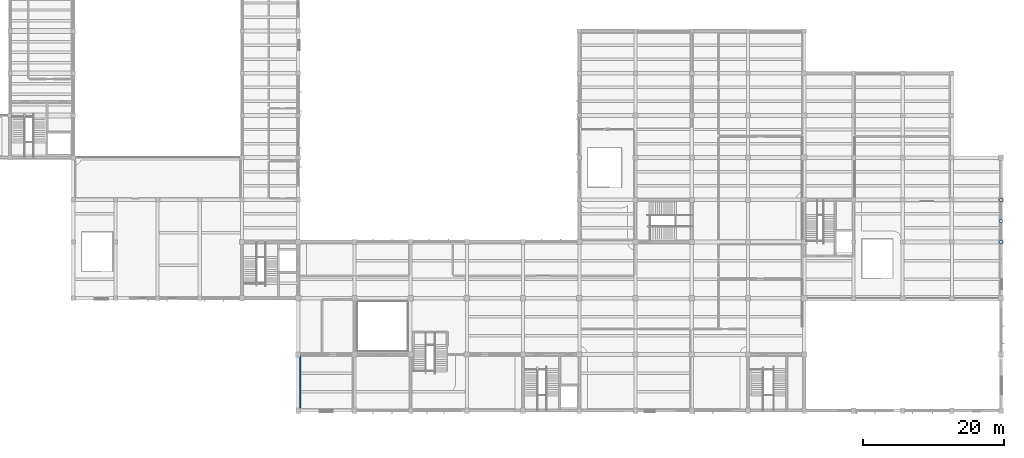
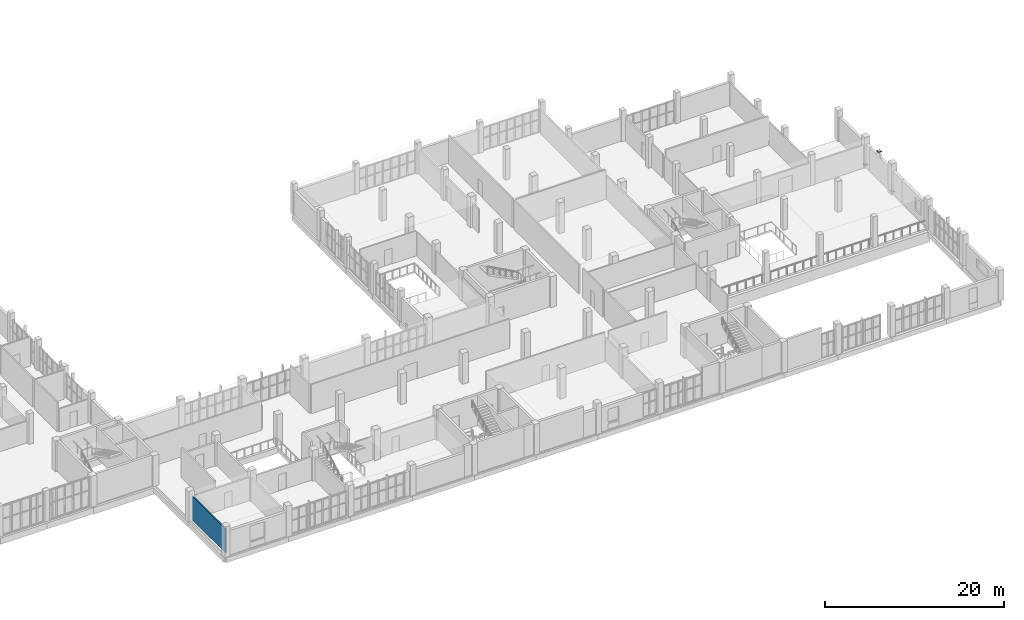
# One storey, part 62 of 85: 3 plates, 1 wall.
"""IFC4 building model written with IfcOpenShell, lengths in metres."""

from ifc_helpers import new_model, si_unit, direction, frame, frame_2d, origin, origin_2d, place, context, subcontext, project, spatial, rectangle, extrude, material, layer, layer_set, type_object, element, save


model = new_model("IFC4")

# Units and contexts
model_context = context("Model", 3, precision=1e-05, world=origin(), true_north=direction((0.0, 1.0)))
body_context = subcontext(model_context, "Body", "Model", "MODEL_VIEW")
ifc_project = project(units=[si_unit("LENGTHUNIT", "METRE"), si_unit("AREAUNIT", "SQUARE_METRE"), si_unit("VOLUMEUNIT", "CUBIC_METRE"), si_unit("PLANEANGLEUNIT", "RADIAN"), si_unit("MASSUNIT", "GRAM", prefix="KILO")], contexts=[model_context])

# Site, building, storey
site_placement = place(None, origin())
site = spatial("IfcSite", under=ifc_project, at=site_placement, CompositionType="ELEMENT")
building_placement = place(site_placement, origin())
building = spatial("IfcBuilding", under=site, at=building_placement, Name="Solvane Community Centre", CompositionType="ELEMENT")
storey_placement = place(building_placement, frame((0.0, 0.0, 5.39990234375)))
storey = spatial("IfcBuildingStorey", under=building, at=storey_placement, Name="L01", CompositionType="ELEMENT", Elevation=5.39990234375)

# Plates
ifc_material_1 = material(Name="Steel ASTM A572 Grade 50", Category="steel")
ifc_layer_1 = layer(ifc_material_1, 0.02392578125)
ifc_layer_set_1 = layer_set([ifc_layer_1], Name="Steel ASTM A572 Grade 50")
plate_type = type_object("IfcPlateType", Name="Bracing Node Gusset Plate 420x420x24", PredefinedType="USERDEFINED", material=ifc_layer_set_1)
for number, where, z_axis, x_axis, name in (
    (1, (168.0, 33.0, 3.818115234375), (0.0, 0.0, 1.0), (1.0, 0.0, 0.0), "Gusset Plate PLT-L01-0115"),
    (2, (168.0, 30.0, 0.208251953125), (0.0, 0.0, 1.0), (1.0, 0.0, 0.0), "Gusset Plate PLT-L01-0116"),
    (3, (168.0, 36.0, 0.208251953125), (0.0, 0.0, 1.0), (1.0, 0.0, 0.0), "Gusset Plate PLT-L01-0117"),
):
    element("IfcPlate", number, at=place(storey_placement, frame(where, z_axis=z_axis, x_axis=x_axis)), inside=storey, type_object=plate_type, Name=name, ObjectType="GUSSET_PLATE", PredefinedType="USERDEFINED", context=body_context, shape_type="SweptSolid", body=[
        extrude(rectangle(XDim=0.419921875, YDim=0.419921875, at=origin_2d()), origin(), (0.0, 0.0, 1.0), 0.02392578125),
    ])

# Wall
ifc_material_2 = material(Name="Gypsum board partition")
ifc_layer_2 = layer(ifc_material_2, 0.179931640625)
ifc_layer_set_2 = layer_set([ifc_layer_2], Name="Gypsum board partition")
wall_type = type_object("IfcWallType", Name="Protected Corridor Wall 180mm [75x32dm]", PredefinedType="PARTITIONING", material=ifc_layer_set_2)
wall_placement = place(storey_placement, frame((68.300048828125, 13.8798828125, 0.0), z_axis=(0.0, 0.0, 1.0), x_axis=(0.0, -1.0, 0.0)))
element("IfcWall", 4, at=wall_placement, inside=storey, type_object=wall_type, Name="Interior Wall WL-INT-L01-0258", PredefinedType="PARTITIONING", context=body_context, shape_type="SweptSolid", body=[
    extrude(rectangle(XDim=7.4599609375, YDim=0.179931640625, at=frame_2d((3.72998046875, 0.0))), origin(), (0.0, 0.0, 1.0), 3.22509765625),
])

save(model, "model.ifc")
